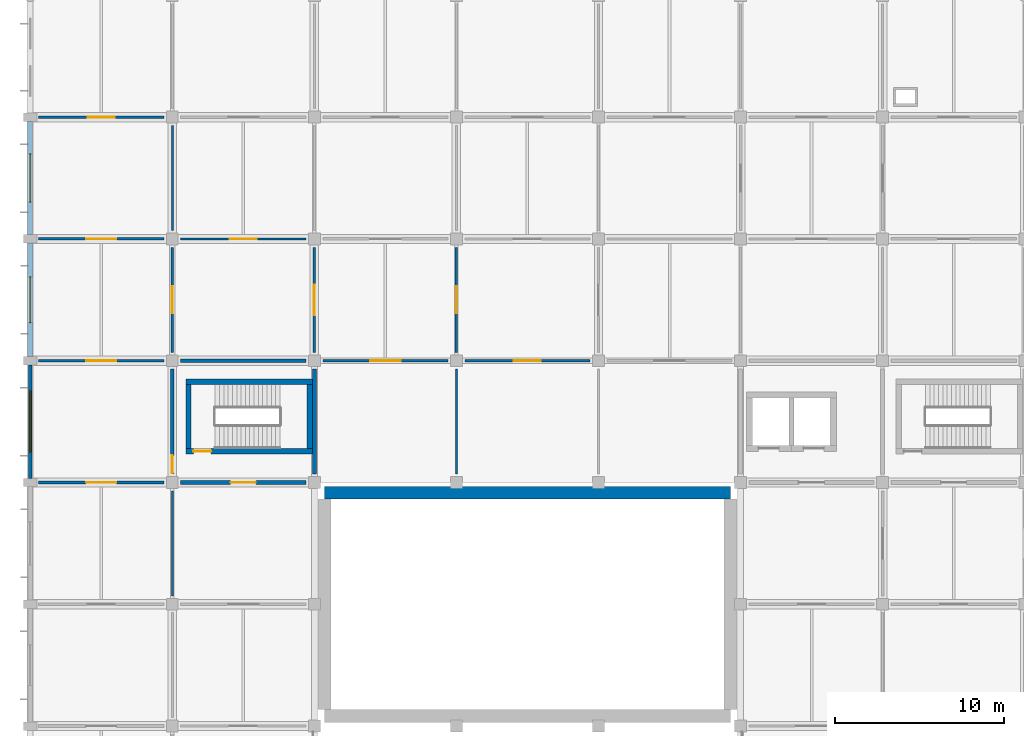
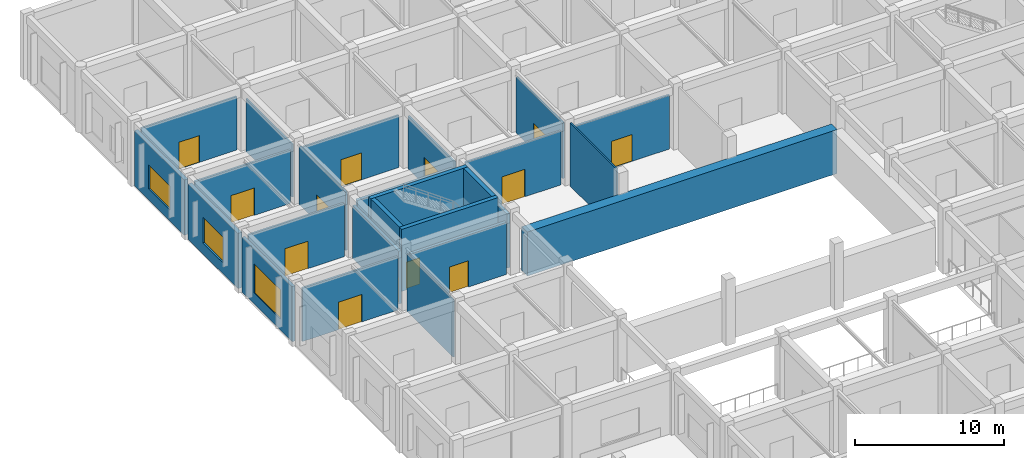
# One storey, part 20 of 41: 25 walls, 13 doors, 3 windows, 16 openings.
"""IFC4 building model written with IfcOpenShell, lengths in metres."""

from ifc_helpers import new_model, si_unit, derived_unit, direction, frame, frame_2d, origin, place, context, subcontext, project, spatial, rectangle, extrude, material, layer, layer_set, type_object, element, fill, save


model = new_model("IFC4")

# Units and contexts
model_context = context("Model", 3, precision=1e-05, world=origin(), true_north=direction((0.0, 1.0)))
body_context = subcontext(model_context, "Body", "Model", "MODEL_VIEW")
ifc_project = project(units=[si_unit("LENGTHUNIT", "METRE"), si_unit("AREAUNIT", "SQUARE_METRE"), si_unit("VOLUMEUNIT", "CUBIC_METRE"), si_unit("PLANEANGLEUNIT", "RADIAN"), si_unit("MASSUNIT", "GRAM", prefix="KILO"), derived_unit("THERMALTRANSMITTANCEUNIT", [(si_unit("MASSUNIT", "GRAM", prefix="KILO"), 1), (si_unit("TIMEUNIT", "SECOND"), -3), (si_unit("THERMODYNAMICTEMPERATUREUNIT", "KELVIN"), -1)])], contexts=[model_context])

# Site, building, storey
site_placement = place(None, origin())
site = spatial("IfcSite", under=ifc_project, at=site_placement, CompositionType="ELEMENT")
building_placement = place(site_placement, origin())
building = spatial("IfcBuilding", under=site, at=building_placement, Name="Veldstrom Oceanarium and Marine Research Institute", CompositionType="ELEMENT")
storey_placement = place(building_placement, frame((0.0, 0.0, 6.0)))
storey = spatial("IfcBuildingStorey", under=building, at=storey_placement, Name="L01", CompositionType="ELEMENT", Elevation=6.0)

# Wall, opening, window
ifc_material_1 = material(Name="Masonry Cavity Wall", Category="masonry")
ifc_layer_1 = layer(ifc_material_1, 0.31005859375)
ifc_layer_set_1 = layer_set([ifc_layer_1], Name="ARC-WAL-EW1")
wall_type_1 = type_object("IfcWallType", Name="ARC-WAL-EW1", PredefinedType="SOLIDWALL", material=ifc_layer_set_1)
wall_1_placement = place(storey_placement, frame((0.0, 43.449951171875, 0.0), z_axis=(0.0, 0.0, 1.0), x_axis=(0.0, 1.0, 0.0)))
wall_1 = element("IfcWall", 1, at=wall_1_placement, inside=storey, type_object=wall_type_1, Name="Exterior Facade Wall EW1 L01-067", PredefinedType="SOLIDWALL", context=body_context, shape_type="SweptSolid", body=[
    extrude(rectangle(XDim=6.699951171875, YDim=0.31005859375, at=frame_2d((3.35009765625, 0.0))), origin(), (0.0, 0.0, 1.0), 4.52001953125),
])
opening_1_placement = place(wall_1_placement, frame((2.0, 0.0, 0.89990234375)))
opening_1 = element("IfcOpeningElement", 2, at=opening_1_placement, cuts=wall_1, Name="Opening W08", PredefinedType="OPENING", context=body_context, shape_type="SweptSolid", body=[
    extrude(rectangle(XDim=2.699951171875, YDim=2.10009765625, at=frame_2d((1.35009765625, 1.050048828125))), frame((0.0, 0.1650390625, 0.0), z_axis=(0.0, -1.0, 0.0), x_axis=(1.0, 0.0, 0.0)), (0.0, 0.0, 1.0), 0.330078125),
])
ifc_material_2 = material(Name="Double Glazed Low-E IGU", Category="glass")
window_type_1 = type_object("IfcWindowType", Name="ARC-WIN-W08", PartitioningType="SINGLE_PANEL", PredefinedType="WINDOW", material=ifc_material_2)
window_1_placement = place(opening_1_placement, origin())
window_1 = element("IfcWindow", 3, at=window_1_placement, inside=storey, type_object=window_type_1, Name="Facade Window W08 L01-0039", OverallHeight=2.10009765625, OverallWidth=2.699951171875, PartitioningType="SINGLE_PANEL", PredefinedType="WINDOW", context=body_context, shape_type="SweptSolid", body=[
    extrude(rectangle(XDim=2.699951171875, YDim=2.10009765625, at=frame_2d((1.35009765625, 1.050048828125))), frame((0.0, 0.030029296875, 0.0), z_axis=(0.0, -1.0, 0.0), x_axis=(1.0, 0.0, 0.0)), (0.0, 0.0, 1.0), 0.06005859375),
])
fill(opening_1, window_1)

ifc_material_3 = material(Name="Masonry Cavity Wall", Category="masonry")
ifc_layer_2 = layer(ifc_material_3, 0.2900390625)
ifc_layer_set_2 = layer_set([ifc_layer_2], Name="ARC-WAL-EW2")
wall_type_2 = type_object("IfcWallType", Name="ARC-WAL-EW2", PredefinedType="SOLIDWALL", material=ifc_layer_set_2)
wall_2_placement = place(storey_placement, frame((0.0, 50.64990234375, 0.0), z_axis=(0.0, 0.0, 1.0), x_axis=(0.0, 1.0, 0.0)))
wall_2 = element("IfcWall", 4, at=wall_2_placement, inside=storey, type_object=wall_type_2, Name="Exterior Facade Wall EW2 L01-068", PredefinedType="SOLIDWALL", context=body_context, shape_type="SweptSolid", body=[
    extrude(rectangle(XDim=6.7001953125, YDim=0.2900390625, at=frame_2d((3.35009765625, 0.0))), origin(), (0.0, 0.0, 1.0), 4.52001953125),
])
opening_2_placement = place(wall_2_placement, frame((1.925048828125, 0.0, 0.89990234375)))
opening_2 = element("IfcOpeningElement", 5, at=opening_2_placement, cuts=wall_2, Name="Opening W19", PredefinedType="OPENING", context=body_context, shape_type="SweptSolid", body=[
    extrude(rectangle(XDim=2.85009765625, YDim=1.949951171875, at=frame_2d((1.425048828125, 0.97509765625))), frame((0.0, 0.155029296875, 0.0), z_axis=(0.0, -1.0, 0.0), x_axis=(1.0, 0.0, 0.0)), (0.0, 0.0, 1.0), 0.31005859375),
])
ifc_material_4 = material(Name="Double Glazed Low-E IGU", Category="glass")
window_type_2 = type_object("IfcWindowType", Name="ARC-WIN-W19", PartitioningType="SINGLE_PANEL", PredefinedType="WINDOW", material=ifc_material_4)
window_2_placement = place(opening_2_placement, origin())
window_2 = element("IfcWindow", 6, at=window_2_placement, inside=storey, type_object=window_type_2, Name="Facade Window W19 L01-0040", OverallHeight=1.949951171875, OverallWidth=2.85009765625, PartitioningType="SINGLE_PANEL", PredefinedType="WINDOW", context=body_context, shape_type="SweptSolid", body=[
    extrude(rectangle(XDim=2.85009765625, YDim=1.949951171875, at=frame_2d((1.425048828125, 0.97509765625))), frame((0.0, 0.030029296875, 0.0), z_axis=(0.0, -1.0, 0.0), x_axis=(1.0, 0.0, 0.0)), (0.0, 0.0, 1.0), 0.06005859375),
])
fill(opening_2, window_2)

ifc_material_5 = material(Name="Masonry Cavity Wall", Category="masonry")
ifc_layer_3 = layer(ifc_material_5, 0.215087890625)
ifc_layer_set_3 = layer_set([ifc_layer_3], Name="ARC-WAL-EW6")
wall_type_3 = type_object("IfcWallType", Name="ARC-WAL-EW6", PredefinedType="SOLIDWALL", material=ifc_layer_set_3)
wall_3_placement = place(storey_placement, frame((0.0, 36.25, 0.0), z_axis=(0.0, 0.0, 1.0), x_axis=(0.0, 1.0, 0.0)))
wall_3 = element("IfcWall", 7, at=wall_3_placement, inside=storey, type_object=wall_type_3, Name="Exterior Facade Wall EW6 L01-066", PredefinedType="SOLIDWALL", context=body_context, shape_type="SweptSolid", body=[
    extrude(rectangle(XDim=6.699951171875, YDim=0.215087890625, at=frame_2d((3.35009765625, 0.0))), origin(), (0.0, 0.0, 1.0), 4.52001953125),
])
opening_3_placement = place(wall_3_placement, frame((1.550048828125, 0.0, 0.89990234375)))
opening_3 = element("IfcOpeningElement", 8, at=opening_3_placement, cuts=wall_3, Name="Opening W11", PredefinedType="OPENING", context=body_context, shape_type="SweptSolid", body=[
    extrude(rectangle(XDim=3.60009765625, YDim=2.39990234375, at=frame_2d((1.800048828125, 1.199951171875))), frame((0.0, 0.117431640625, 0.0), z_axis=(0.0, -1.0, 0.0), x_axis=(1.0, 0.0, 0.0)), (0.0, 0.0, 1.0), 0.235107421875),
])
ifc_material_6 = material(Name="Double Glazed Low-E IGU", Category="glass")
window_type_3 = type_object("IfcWindowType", Name="ARC-WIN-W11", PartitioningType="SINGLE_PANEL", PredefinedType="WINDOW", material=ifc_material_6)
window_3_placement = place(opening_3_placement, origin())
window_3 = element("IfcWindow", 9, at=window_3_placement, inside=storey, type_object=window_type_3, Name="Facade Window W11 L01-0038", OverallHeight=2.39990234375, OverallWidth=3.60009765625, PartitioningType="SINGLE_PANEL", PredefinedType="WINDOW", context=body_context, shape_type="SweptSolid", body=[
    extrude(rectangle(XDim=3.60009765625, YDim=2.39990234375, at=frame_2d((1.800048828125, 1.199951171875))), frame((0.0, 0.030029296875, 0.0), z_axis=(0.0, -1.0, 0.0), x_axis=(1.0, 0.0, 0.0)), (0.0, 0.0, 1.0), 0.06005859375),
])
fill(opening_3, window_3)

# Wall, opening, door
ifc_material_7 = material(Name="Masonry Fire Compartment Wall", Category="masonry")
ifc_layer_4 = layer(ifc_material_7, 0.22998046875)
ifc_layer_set_4 = layer_set([ifc_layer_4], Name="ARC-WAL-PT1")
wall_type_4 = type_object("IfcWallType", Name="ARC-WAL-PT1", PredefinedType="PARTITIONING", material=ifc_layer_set_4)
wall_4_placement = place(storey_placement, frame((8.39990234375, 36.5, 0.0), z_axis=(0.0, 0.0, 1.0), x_axis=(0.0, 1.0, 0.0)))
wall_4 = element("IfcWall", 10, at=wall_4_placement, inside=storey, type_object=wall_type_4, Name="Interior Partition PT1 L01-0835", PredefinedType="PARTITIONING", context=body_context, shape_type="SweptSolid", body=[
    extrude(rectangle(XDim=6.199951171875, YDim=0.22998046875, at=frame_2d((3.10009765625, 0.0))), origin(), (0.0, 0.0, 1.0), 4.320068359375),
])
opening_4_placement = place(wall_4_placement, frame((0.050048828125, 0.0, 0.0)))
opening_4 = element("IfcOpeningElement", 11, at=opening_4_placement, cuts=wall_4, Name="Opening D-L01-483", PredefinedType="OPENING", context=body_context, shape_type="SweptSolid", body=[
    extrude(rectangle(XDim=1.050048828125, YDim=2.14990234375, at=frame_2d((0.52490234375, 1.074951171875))), frame((0.0, 0.125, 0.0), z_axis=(0.0, -1.0, 0.0), x_axis=(1.0, 0.0, 0.0)), (0.0, 0.0, 1.0), 0.25),
])
ifc_material_8 = material(Name="Painted Steel Fire Door", Category="steel")
door_type_1 = type_object("IfcDoorType", Name="ARC-DOR-SD1", OperationType="SINGLE_SWING_LEFT", PredefinedType="DOOR", material=ifc_material_8)
door_1_placement = place(opening_4_placement, origin())
door_1 = element("IfcDoor", 12, at=door_1_placement, inside=storey, type_object=door_type_1, Name="Interior Door D-L01-483", OperationType="SINGLE_SWING_LEFT", OverallHeight=2.14990234375, OverallWidth=1.050048828125, PredefinedType="DOOR", context=body_context, shape_type="SweptSolid", body=[
    extrude(rectangle(XDim=1.050048828125, YDim=2.14990234375, at=frame_2d((0.52490234375, 1.074951171875))), frame((0.0, 0.02490234375, 0.0), z_axis=(0.0, -1.0, 0.0), x_axis=(1.0, 0.0, 0.0)), (0.0, 0.0, 1.0), 0.050048828125),
])
fill(opening_4, door_1)

wall_5_placement = place(storey_placement, frame((8.89990234375, 36.0, 0.0), z_axis=(0.0, 0.0, 1.0), x_axis=(1.0, 0.0, 0.0)))
wall_5 = element("IfcWall", 13, at=wall_5_placement, inside=storey, type_object=wall_type_4, Name="Interior Partition PT1 L01-0846", PredefinedType="PARTITIONING", context=body_context, shape_type="SweptSolid", body=[
    extrude(rectangle(XDim=7.400146484375, YDim=0.22998046875, at=frame_2d((3.7001953125, 0.0))), origin(), (0.0, 0.0, 1.0), 4.27001953125),
])
opening_5_placement = place(wall_5_placement, frame((2.949951171875, 0.0, 0.0)))
opening_5 = element("IfcOpeningElement", 14, at=opening_5_placement, cuts=wall_5, Name="Opening D-L01-491", PredefinedType="OPENING", context=body_context, shape_type="SweptSolid", body=[
    extrude(rectangle(XDim=1.5, YDim=2.14990234375, at=frame_2d((0.75, 1.074951171875))), frame((0.0, 0.125, 0.0), z_axis=(0.0, -1.0, 0.0), x_axis=(1.0, 0.0, 0.0)), (0.0, 0.0, 1.0), 0.25),
])
ifc_material_9 = material(Name="Painted Steel Lobby Fire Door", Category="steel")
door_type_2 = type_object("IfcDoorType", Name="ARC-DOR-SD2", OperationType="DOUBLE_DOOR_SINGLE_SWING", PredefinedType="DOOR", material=ifc_material_9)
door_2_placement = place(opening_5_placement, frame((1.5, 0.0, 0.0), z_axis=(0.0, 0.0, 1.0), x_axis=(-1.0, 0.0, 0.0)))
door_2 = element("IfcDoor", 15, at=door_2_placement, inside=storey, type_object=door_type_2, Name="Interior Door D-L01-491", OperationType="DOUBLE_DOOR_SINGLE_SWING", OverallHeight=2.14990234375, OverallWidth=1.5, PredefinedType="DOOR", context=body_context, shape_type="SweptSolid", body=[
    extrude(rectangle(XDim=1.5, YDim=2.14990234375, at=frame_2d((0.75, 1.074951171875))), frame((0.0, 0.02490234375, 0.0), z_axis=(0.0, -1.0, 0.0), x_axis=(1.0, 0.0, 0.0)), (0.0, 0.0, 1.0), 0.050048828125),
])
fill(opening_5, door_2)

# Walls
wall_6_placement = place(storey_placement, frame((16.800048828125, 36.5, 0.0), z_axis=(0.0, 0.0, 1.0), x_axis=(0.0, 1.0, 0.0)))
element("IfcWall", 16, at=wall_6_placement, inside=storey, type_object=wall_type_4, Name="Interior Partition PT1 L01-0847", PredefinedType="PARTITIONING", context=body_context, shape_type="SweptSolid", body=[
    extrude(rectangle(XDim=6.199951171875, YDim=0.22998046875, at=frame_2d((3.10009765625, 0.0))), origin(), (0.0, 0.0, 1.0), 4.419921875),
])
wall_7_placement = place(storey_placement, frame((8.89990234375, 43.199951171875, 0.0), z_axis=(0.0, 0.0, 1.0), x_axis=(1.0, 0.0, 0.0)))
element("IfcWall", 17, at=wall_7_placement, inside=storey, type_object=wall_type_4, Name="Interior Partition PT1 L01-0848", PredefinedType="PARTITIONING", context=body_context, shape_type="SweptSolid", body=[
    extrude(rectangle(XDim=7.400146484375, YDim=0.22998046875, at=frame_2d((3.7001953125, 0.0))), origin(), (0.0, 0.0, 1.0), 4.27001953125),
])

# Wall, opening, door
ifc_material_10 = material(Name="Drywall Corridor Partition", Category="gypsum")
ifc_layer_5 = layer(ifc_material_10, 0.155029296875)
ifc_layer_set_5 = layer_set([ifc_layer_5], Name="ARC-WAL-PT4")
wall_type_5 = type_object("IfcWallType", Name="ARC-WAL-PT4", PredefinedType="PARTITIONING", material=ifc_layer_set_5)
wall_8_placement = place(storey_placement, frame((0.5, 36.0, 0.0), z_axis=(0.0, 0.0, 1.0), x_axis=(1.0, 0.0, 0.0)))
wall_8 = element("IfcWall", 18, at=wall_8_placement, inside=storey, type_object=wall_type_5, Name="Interior Partition PT4 L01-0834", PredefinedType="PARTITIONING", context=body_context, shape_type="SweptSolid", body=[
    extrude(rectangle(XDim=7.39990234375, YDim=0.155029296875, at=frame_2d((3.699951171875, 0.0))), origin(), (0.0, 0.0, 1.0), 4.3701171875),
])
opening_6_placement = place(wall_8_placement, frame((2.800048828125, 0.0, 0.0)))
opening_6 = element("IfcOpeningElement", 19, at=opening_6_placement, cuts=wall_8, Name="Opening D-L01-482", PredefinedType="OPENING", context=body_context, shape_type="SweptSolid", body=[
    extrude(rectangle(XDim=1.800048828125, YDim=2.25, at=frame_2d((0.89990234375, 1.125))), frame((0.0, 0.08740234375, 0.0), z_axis=(0.0, -1.0, 0.0), x_axis=(1.0, 0.0, 0.0)), (0.0, 0.0, 1.0), 0.175048828125),
])
ifc_material_11 = material(Name="Acoustic Timber Gallery Door", Category="wood")
door_type_3 = type_object("IfcDoorType", Name="ARC-DOR-ID01", OperationType="DOUBLE_DOOR_SINGLE_SWING", PredefinedType="DOOR", material=ifc_material_11)
door_3_placement = place(opening_6_placement, frame((1.800048828125, 0.0, 0.0), z_axis=(0.0, 0.0, 1.0), x_axis=(-1.0, 0.0, 0.0)))
door_3 = element("IfcDoor", 20, at=door_3_placement, inside=storey, type_object=door_type_3, Name="Interior Door D-L01-482", OperationType="DOUBLE_DOOR_SINGLE_SWING", OverallHeight=2.25, OverallWidth=1.800048828125, PredefinedType="DOOR", context=body_context, shape_type="SweptSolid", body=[
    extrude(rectangle(XDim=1.800048828125, YDim=2.25, at=frame_2d((0.89990234375, 1.125))), frame((0.0, 0.02490234375, 0.0), z_axis=(0.0, -1.0, 0.0), x_axis=(1.0, 0.0, 0.0)), (0.0, 0.0, 1.0), 0.050048828125),
])
fill(opening_6, door_3)

wall_9_placement = place(storey_placement, frame((8.39990234375, 43.699951171875, 0.0), z_axis=(0.0, 0.0, 1.0), x_axis=(0.0, 1.0, 0.0)))
wall_9 = element("IfcWall", 21, at=wall_9_placement, inside=storey, type_object=wall_type_5, Name="Interior Partition PT4 L01-0837", PredefinedType="PARTITIONING", context=body_context, shape_type="SweptSolid", body=[
    extrude(rectangle(XDim=6.199951171875, YDim=0.155029296875, at=frame_2d((3.10009765625, 0.0))), origin(), (0.0, 0.0, 1.0), 4.780029296875),
])
opening_7_placement = place(wall_9_placement, frame((2.300048828125, 0.0, 0.0)))
opening_7 = element("IfcOpeningElement", 22, at=opening_7_placement, cuts=wall_9, Name="Opening D-L01-485", PredefinedType="OPENING", context=body_context, shape_type="SweptSolid", body=[
    extrude(rectangle(XDim=1.60009765625, YDim=2.199951171875, at=frame_2d((0.800048828125, 1.10009765625))), frame((0.0, 0.08740234375, 0.0), z_axis=(0.0, -1.0, 0.0), x_axis=(1.0, 0.0, 0.0)), (0.0, 0.0, 1.0), 0.175048828125),
])
ifc_material_12 = material(Name="Acoustic Timber Corridor Door", Category="wood")
door_type_4 = type_object("IfcDoorType", Name="ARC-DOR-ID02", OperationType="DOUBLE_DOOR_SINGLE_SWING", PredefinedType="DOOR", material=ifc_material_12)
door_4_placement = place(opening_7_placement, origin())
door_4 = element("IfcDoor", 23, at=door_4_placement, inside=storey, type_object=door_type_4, Name="Interior Door D-L01-485", OperationType="DOUBLE_DOOR_SINGLE_SWING", OverallHeight=2.199951171875, OverallWidth=1.60009765625, PredefinedType="DOOR", context=body_context, shape_type="SweptSolid", body=[
    extrude(rectangle(XDim=1.60009765625, YDim=2.199951171875, at=frame_2d((0.800048828125, 1.10009765625))), frame((0.0, 0.02490234375, 0.0), z_axis=(0.0, -1.0, 0.0), x_axis=(1.0, 0.0, 0.0)), (0.0, 0.0, 1.0), 0.050048828125),
])
fill(opening_7, door_4)

wall_10_placement = place(storey_placement, frame((0.5, 50.39990234375, 0.0), z_axis=(0.0, 0.0, 1.0), x_axis=(1.0, 0.0, 0.0)))
wall_10 = element("IfcWall", 24, at=wall_10_placement, inside=storey, type_object=wall_type_5, Name="Interior Partition PT4 L01-0838", PredefinedType="PARTITIONING", context=body_context, shape_type="SweptSolid", body=[
    extrude(rectangle(XDim=7.39990234375, YDim=0.155029296875, at=frame_2d((3.699951171875, 0.0))), origin(), (0.0, 0.0, 1.0), 4.3701171875),
])
opening_8_placement = place(wall_10_placement, frame((2.800048828125, 0.0, 0.0)))
opening_8 = element("IfcOpeningElement", 25, at=opening_8_placement, cuts=wall_10, Name="Opening D-L01-486", PredefinedType="OPENING", context=body_context, shape_type="SweptSolid", body=[
    extrude(rectangle(XDim=1.800048828125, YDim=2.25, at=frame_2d((0.89990234375, 1.125))), frame((0.0, 0.08740234375, 0.0), z_axis=(0.0, -1.0, 0.0), x_axis=(1.0, 0.0, 0.0)), (0.0, 0.0, 1.0), 0.175048828125),
])
door_5_placement = place(opening_8_placement, frame((1.800048828125, 0.0, 0.0), z_axis=(0.0, 0.0, 1.0), x_axis=(-1.0, 0.0, 0.0)))
door_5 = element("IfcDoor", 26, at=door_5_placement, inside=storey, type_object=door_type_3, Name="Interior Door D-L01-486", OperationType="DOUBLE_DOOR_SINGLE_SWING", OverallHeight=2.25, OverallWidth=1.800048828125, PredefinedType="DOOR", context=body_context, shape_type="SweptSolid", body=[
    extrude(rectangle(XDim=1.800048828125, YDim=2.25, at=frame_2d((0.89990234375, 1.125))), frame((0.0, 0.02490234375, 0.0), z_axis=(0.0, -1.0, 0.0), x_axis=(1.0, 0.0, 0.0)), (0.0, 0.0, 1.0), 0.050048828125),
])
fill(opening_8, door_5)

wall_11_placement = place(storey_placement, frame((25.199951171875, 43.699951171875, 0.0), z_axis=(0.0, 0.0, 1.0), x_axis=(0.0, 1.0, 0.0)))
wall_11 = element("IfcWall", 27, at=wall_11_placement, inside=storey, type_object=wall_type_5, Name="Interior Partition PT4 L01-0861", PredefinedType="PARTITIONING", context=body_context, shape_type="SweptSolid", body=[
    extrude(rectangle(XDim=6.199951171875, YDim=0.155029296875, at=frame_2d((3.10009765625, 0.0))), origin(), (0.0, 0.0, 1.0), 4.570068359375),
])
opening_9_placement = place(wall_11_placement, frame((2.300048828125, 0.0, 0.0)))
opening_9 = element("IfcOpeningElement", 28, at=opening_9_placement, cuts=wall_11, Name="Opening D-L01-499", PredefinedType="OPENING", context=body_context, shape_type="SweptSolid", body=[
    extrude(rectangle(XDim=1.60009765625, YDim=2.199951171875, at=frame_2d((0.800048828125, 1.10009765625))), frame((0.0, 0.08740234375, 0.0), z_axis=(0.0, -1.0, 0.0), x_axis=(1.0, 0.0, 0.0)), (0.0, 0.0, 1.0), 0.175048828125),
])
door_6_placement = place(opening_9_placement, origin())
door_6 = element("IfcDoor", 29, at=door_6_placement, inside=storey, type_object=door_type_4, Name="Interior Door D-L01-499", OperationType="DOUBLE_DOOR_SINGLE_SWING", OverallHeight=2.199951171875, OverallWidth=1.60009765625, PredefinedType="DOOR", context=body_context, shape_type="SweptSolid", body=[
    extrude(rectangle(XDim=1.60009765625, YDim=2.199951171875, at=frame_2d((0.800048828125, 1.10009765625))), frame((0.0, 0.02490234375, 0.0), z_axis=(0.0, -1.0, 0.0), x_axis=(1.0, 0.0, 0.0)), (0.0, 0.0, 1.0), 0.050048828125),
])
fill(opening_9, door_6)

wall_12_placement = place(storey_placement, frame((25.699951171875, 43.199951171875, 0.0), z_axis=(0.0, 0.0, 1.0), x_axis=(1.0, 0.0, 0.0)))
wall_12 = element("IfcWall", 30, at=wall_12_placement, inside=storey, type_object=wall_type_5, Name="Interior Partition PT4 L01-0872", PredefinedType="PARTITIONING", context=body_context, shape_type="SweptSolid", body=[
    extrude(rectangle(XDim=7.400146484375, YDim=0.155029296875, at=frame_2d((3.7001953125, 0.0))), origin(), (0.0, 0.0, 1.0), 4.419921875),
])
opening_10_placement = place(wall_12_placement, frame((2.89990234375, 0.0, 0.0)))
opening_10 = element("IfcOpeningElement", 31, at=opening_10_placement, cuts=wall_12, Name="Opening D-L01-505", PredefinedType="OPENING", context=body_context, shape_type="SweptSolid", body=[
    extrude(rectangle(XDim=1.60009765625, YDim=2.199951171875, at=frame_2d((0.800048828125, 1.10009765625))), frame((0.0, 0.08740234375, 0.0), z_axis=(0.0, -1.0, 0.0), x_axis=(1.0, 0.0, 0.0)), (0.0, 0.0, 1.0), 0.175048828125),
])
door_7_placement = place(opening_10_placement, frame((1.60009765625, 0.0, 0.0), z_axis=(0.0, 0.0, 1.0), x_axis=(-1.0, 0.0, 0.0)))
door_7 = element("IfcDoor", 32, at=door_7_placement, inside=storey, type_object=door_type_4, Name="Interior Door D-L01-505", OperationType="DOUBLE_DOOR_SINGLE_SWING", OverallHeight=2.199951171875, OverallWidth=1.60009765625, PredefinedType="DOOR", context=body_context, shape_type="SweptSolid", body=[
    extrude(rectangle(XDim=1.60009765625, YDim=2.199951171875, at=frame_2d((0.800048828125, 1.10009765625))), frame((0.0, 0.02490234375, 0.0), z_axis=(0.0, -1.0, 0.0), x_axis=(1.0, 0.0, 0.0)), (0.0, 0.0, 1.0), 0.050048828125),
])
fill(opening_10, door_7)

ifc_material_13 = material(Name="Moisture-Resistant Wet-Area Partition", Category="masonry")
ifc_layer_6 = layer(ifc_material_13, 0.139892578125)
ifc_layer_set_6 = layer_set([ifc_layer_6], Name="ARC-WAL-PT5")
wall_type_6 = type_object("IfcWallType", Name="ARC-WAL-PT5", PredefinedType="PARTITIONING", material=ifc_layer_set_6)
wall_13_placement = place(storey_placement, frame((0.5, 43.199951171875, 0.0), z_axis=(0.0, 0.0, 1.0), x_axis=(1.0, 0.0, 0.0)))
wall_13 = element("IfcWall", 33, at=wall_13_placement, inside=storey, type_object=wall_type_6, Name="Interior Partition PT5 L01-0836", PredefinedType="PARTITIONING", context=body_context, shape_type="SweptSolid", body=[
    extrude(rectangle(XDim=7.39990234375, YDim=0.139892578125, at=frame_2d((3.699951171875, 0.0))), origin(), (0.0, 0.0, 1.0), 4.3701171875),
])
opening_11_placement = place(wall_13_placement, frame((2.800048828125, 0.0, 0.0)))
opening_11 = element("IfcOpeningElement", 34, at=opening_11_placement, cuts=wall_13, Name="Opening D-L01-484", PredefinedType="OPENING", context=body_context, shape_type="SweptSolid", body=[
    extrude(rectangle(XDim=1.800048828125, YDim=2.25, at=frame_2d((0.89990234375, 1.125))), frame((0.0, 0.079833984375, 0.0), z_axis=(0.0, -1.0, 0.0), x_axis=(1.0, 0.0, 0.0)), (0.0, 0.0, 1.0), 0.159912109375),
])
door_8_placement = place(opening_11_placement, origin())
door_8 = element("IfcDoor", 35, at=door_8_placement, inside=storey, type_object=door_type_3, Name="Interior Door D-L01-484", OperationType="DOUBLE_DOOR_SINGLE_SWING", OverallHeight=2.25, OverallWidth=1.800048828125, PredefinedType="DOOR", context=body_context, shape_type="SweptSolid", body=[
    extrude(rectangle(XDim=1.800048828125, YDim=2.25, at=frame_2d((0.89990234375, 1.125))), frame((0.0, 0.02490234375, 0.0), z_axis=(0.0, -1.0, 0.0), x_axis=(1.0, 0.0, 0.0)), (0.0, 0.0, 1.0), 0.050048828125),
])
fill(opening_11, door_8)

wall_14_placement = place(storey_placement, frame((0.5, 57.60009765625, 0.0), z_axis=(0.0, 0.0, 1.0), x_axis=(1.0, 0.0, 0.0)))
wall_14 = element("IfcWall", 36, at=wall_14_placement, inside=storey, type_object=wall_type_6, Name="Interior Partition PT5 L01-0840", PredefinedType="PARTITIONING", context=body_context, shape_type="SweptSolid", body=[
    extrude(rectangle(XDim=7.39990234375, YDim=0.139892578125, at=frame_2d((3.699951171875, 0.0))), origin(), (0.0, 0.0, 1.0), 4.3701171875),
])
opening_12_placement = place(wall_14_placement, frame((2.89990234375, 0.0, 0.0)))
opening_12 = element("IfcOpeningElement", 37, at=opening_12_placement, cuts=wall_14, Name="Opening D-L01-487", PredefinedType="OPENING", context=body_context, shape_type="SweptSolid", body=[
    extrude(rectangle(XDim=1.60009765625, YDim=2.199951171875, at=frame_2d((0.800048828125, 1.10009765625))), frame((0.0, 0.079833984375, 0.0), z_axis=(0.0, -1.0, 0.0), x_axis=(1.0, 0.0, 0.0)), (0.0, 0.0, 1.0), 0.159912109375),
])
door_9_placement = place(opening_12_placement, origin())
door_9 = element("IfcDoor", 38, at=door_9_placement, inside=storey, type_object=door_type_4, Name="Interior Door D-L01-487", OperationType="DOUBLE_DOOR_SINGLE_SWING", OverallHeight=2.199951171875, OverallWidth=1.60009765625, PredefinedType="DOOR", context=body_context, shape_type="SweptSolid", body=[
    extrude(rectangle(XDim=1.60009765625, YDim=2.199951171875, at=frame_2d((0.800048828125, 1.10009765625))), frame((0.0, 0.02490234375, 0.0), z_axis=(0.0, -1.0, 0.0), x_axis=(1.0, 0.0, 0.0)), (0.0, 0.0, 1.0), 0.050048828125),
])
fill(opening_12, door_9)

wall_15_placement = place(storey_placement, frame((16.800048828125, 43.699951171875, 0.0), z_axis=(0.0, 0.0, 1.0), x_axis=(0.0, 1.0, 0.0)))
wall_15 = element("IfcWall", 39, at=wall_15_placement, inside=storey, type_object=wall_type_6, Name="Interior Partition PT5 L01-0849", PredefinedType="PARTITIONING", context=body_context, shape_type="SweptSolid", body=[
    extrude(rectangle(XDim=6.199951171875, YDim=0.139892578125, at=frame_2d((3.10009765625, 0.0))), origin(), (0.0, 0.0, 1.0), 4.320068359375),
])
opening_13_placement = place(wall_15_placement, frame((2.199951171875, 0.0, 0.0)))
opening_13 = element("IfcOpeningElement", 40, at=opening_13_placement, cuts=wall_15, Name="Opening D-L01-492", PredefinedType="OPENING", context=body_context, shape_type="SweptSolid", body=[
    extrude(rectangle(XDim=1.800048828125, YDim=2.25, at=frame_2d((0.89990234375, 1.125))), frame((0.0, 0.079833984375, 0.0), z_axis=(0.0, -1.0, 0.0), x_axis=(1.0, 0.0, 0.0)), (0.0, 0.0, 1.0), 0.159912109375),
])
door_10_placement = place(opening_13_placement, frame((1.800048828125, 0.0, 0.0), z_axis=(0.0, 0.0, 1.0), x_axis=(-1.0, 0.0, 0.0)))
door_10 = element("IfcDoor", 41, at=door_10_placement, inside=storey, type_object=door_type_3, Name="Interior Door D-L01-492", OperationType="DOUBLE_DOOR_SINGLE_SWING", OverallHeight=2.25, OverallWidth=1.800048828125, PredefinedType="DOOR", context=body_context, shape_type="SweptSolid", body=[
    extrude(rectangle(XDim=1.800048828125, YDim=2.25, at=frame_2d((0.89990234375, 1.125))), frame((0.0, 0.02490234375, 0.0), z_axis=(0.0, -1.0, 0.0), x_axis=(1.0, 0.0, 0.0)), (0.0, 0.0, 1.0), 0.050048828125),
])
fill(opening_13, door_10)

wall_16_placement = place(storey_placement, frame((8.89990234375, 50.39990234375, 0.0), z_axis=(0.0, 0.0, 1.0), x_axis=(1.0, 0.0, 0.0)))
wall_16 = element("IfcWall", 42, at=wall_16_placement, inside=storey, type_object=wall_type_6, Name="Interior Partition PT5 L01-0850", PredefinedType="PARTITIONING", context=body_context, shape_type="SweptSolid", body=[
    extrude(rectangle(XDim=7.400146484375, YDim=0.139892578125, at=frame_2d((3.7001953125, 0.0))), origin(), (0.0, 0.0, 1.0), 4.27001953125),
])
opening_14_placement = place(wall_16_placement, frame((2.89990234375, 0.0, 0.0)))
opening_14 = element("IfcOpeningElement", 43, at=opening_14_placement, cuts=wall_16, Name="Opening D-L01-493", PredefinedType="OPENING", context=body_context, shape_type="SweptSolid", body=[
    extrude(rectangle(XDim=1.60009765625, YDim=2.199951171875, at=frame_2d((0.800048828125, 1.10009765625))), frame((0.0, 0.079833984375, 0.0), z_axis=(0.0, -1.0, 0.0), x_axis=(1.0, 0.0, 0.0)), (0.0, 0.0, 1.0), 0.159912109375),
])
door_11_placement = place(opening_14_placement, origin())
door_11 = element("IfcDoor", 44, at=door_11_placement, inside=storey, type_object=door_type_4, Name="Interior Door D-L01-493", OperationType="DOUBLE_DOOR_SINGLE_SWING", OverallHeight=2.199951171875, OverallWidth=1.60009765625, PredefinedType="DOOR", context=body_context, shape_type="SweptSolid", body=[
    extrude(rectangle(XDim=1.60009765625, YDim=2.199951171875, at=frame_2d((0.800048828125, 1.10009765625))), frame((0.0, 0.02490234375, 0.0), z_axis=(0.0, -1.0, 0.0), x_axis=(1.0, 0.0, 0.0)), (0.0, 0.0, 1.0), 0.050048828125),
])
fill(opening_14, door_11)

wall_17_placement = place(storey_placement, frame((17.300048828125, 43.199951171875, 0.0), z_axis=(0.0, 0.0, 1.0), x_axis=(1.0, 0.0, 0.0)))
wall_17 = element("IfcWall", 45, at=wall_17_placement, inside=storey, type_object=wall_type_6, Name="Interior Partition PT5 L01-0860", PredefinedType="PARTITIONING", context=body_context, shape_type="SweptSolid", body=[
    extrude(rectangle(XDim=7.39990234375, YDim=0.139892578125, at=frame_2d((3.699951171875, 0.0))), origin(), (0.0, 0.0, 1.0), 4.419921875),
])
opening_15_placement = place(wall_17_placement, frame((2.800048828125, 0.0, 0.0)))
opening_15 = element("IfcOpeningElement", 46, at=opening_15_placement, cuts=wall_17, Name="Opening D-L01-498", PredefinedType="OPENING", context=body_context, shape_type="SweptSolid", body=[
    extrude(rectangle(XDim=1.800048828125, YDim=2.25, at=frame_2d((0.89990234375, 1.125))), frame((0.0, 0.079833984375, 0.0), z_axis=(0.0, -1.0, 0.0), x_axis=(1.0, 0.0, 0.0)), (0.0, 0.0, 1.0), 0.159912109375),
])
door_12_placement = place(opening_15_placement, origin())
door_12 = element("IfcDoor", 47, at=door_12_placement, inside=storey, type_object=door_type_3, Name="Interior Door D-L01-498", OperationType="DOUBLE_DOOR_SINGLE_SWING", OverallHeight=2.25, OverallWidth=1.800048828125, PredefinedType="DOOR", context=body_context, shape_type="SweptSolid", body=[
    extrude(rectangle(XDim=1.800048828125, YDim=2.25, at=frame_2d((0.89990234375, 1.125))), frame((0.0, 0.02490234375, 0.0), z_axis=(0.0, -1.0, 0.0), x_axis=(1.0, 0.0, 0.0)), (0.0, 0.0, 1.0), 0.050048828125),
])
fill(opening_15, door_12)

# Walls
ifc_material_14 = material(Name="Lightweight Studio Partition", Category="gypsum")
ifc_layer_7 = layer(ifc_material_14, 0.1201171875)
ifc_layer_set_7 = layer_set([ifc_layer_7], Name="ARC-WAL-PT6")
wall_type_7 = type_object("IfcWallType", Name="ARC-WAL-PT6", PredefinedType="PARTITIONING", material=ifc_layer_set_7)
wall_18_placement = place(storey_placement, frame((8.39990234375, 29.300048828125, 0.0), z_axis=(0.0, 0.0, 1.0), x_axis=(0.0, 1.0, 0.0)))
element("IfcWall", 48, at=wall_18_placement, inside=storey, type_object=wall_type_7, Name="Interior Partition PT6 L01-0833", PredefinedType="PARTITIONING", context=body_context, shape_type="SweptSolid", body=[
    extrude(rectangle(XDim=6.199951171875, YDim=0.1201171875, at=frame_2d((3.10009765625, 0.0))), origin(), (0.0, 0.0, 1.0), 4.669921875),
])
wall_19_placement = place(storey_placement, frame((8.39990234375, 50.89990234375, 0.0), z_axis=(0.0, 0.0, 1.0), x_axis=(0.0, 1.0, 0.0)))
element("IfcWall", 49, at=wall_19_placement, inside=storey, type_object=wall_type_7, Name="Interior Partition PT6 L01-0839", PredefinedType="PARTITIONING", context=body_context, shape_type="SweptSolid", body=[
    extrude(rectangle(XDim=6.2001953125, YDim=0.1201171875, at=frame_2d((3.10009765625, 0.0))), origin(), (0.0, 0.0, 1.0), 4.320068359375),
])
wall_20_placement = place(storey_placement, frame((25.199951171875, 36.5, 0.0), z_axis=(0.0, 0.0, 1.0), x_axis=(0.0, 1.0, 0.0)))
element("IfcWall", 50, at=wall_20_placement, inside=storey, type_object=wall_type_7, Name="Interior Partition PT6 L01-0859", PredefinedType="PARTITIONING", context=body_context, shape_type="SweptSolid", body=[
    extrude(rectangle(XDim=6.199951171875, YDim=0.1201171875, at=frame_2d((3.10009765625, 0.0))), origin(), (0.0, 0.0, 1.0), 5.175048828125),
])

# Wall, opening, door
ifc_material_15 = material(Name="Concrete C40/50", Category="concrete")
ifc_layer_8 = layer(ifc_material_15, 0.320068359375)
ifc_layer_set_8 = layer_set([ifc_layer_8], Name="STR-WAL-WC3")
wall_type_8 = type_object("IfcWallType", Name="STR-WAL-WC3", PredefinedType="SHEAR", material=ifc_layer_set_8)
wall_21_placement = place(storey_placement, frame((9.199951171875, 37.840087890625, 0.0), z_axis=(0.0, 0.0, 1.0), x_axis=(1.0, 0.0, 0.0)))
wall_21 = element("IfcWall", 51, at=wall_21_placement, inside=storey, type_object=wall_type_8, Name="Stair Core Shear Wall SC3-L01-S", PredefinedType="SHEAR", context=body_context, shape_type="SweptSolid", body=[
    extrude(rectangle(XDim=7.47998046875, YDim=0.320068359375, at=frame_2d((3.739990234375, 0.0))), origin(), (0.0, 0.0, 1.0), 5.074951171875),
])
opening_16_placement = place(wall_21_placement, frame((0.449951171875, 0.0, 0.0)))
opening_16 = element("IfcOpeningElement", 52, at=opening_16_placement, cuts=wall_21, Name="Opening D-ST3-L01", PredefinedType="OPENING", context=body_context, shape_type="SweptSolid", body=[
    extrude(rectangle(XDim=1.050048828125, YDim=2.14990234375, at=frame_2d((0.52490234375, 1.074951171875))), frame((0.0, 0.169921875, 0.0), z_axis=(0.0, -1.0, 0.0), x_axis=(1.0, 0.0, 0.0)), (0.0, 0.0, 1.0), 0.340087890625),
])
door_13_placement = place(opening_16_placement, origin())
door_13 = element("IfcDoor", 53, at=door_13_placement, inside=storey, type_object=door_type_1, Name="Escape Stair Fire Door D-ST3-L01", OperationType="SINGLE_SWING_LEFT", OverallHeight=2.14990234375, OverallWidth=1.050048828125, PredefinedType="DOOR", context=body_context, shape_type="SweptSolid", body=[
    extrude(rectangle(XDim=1.050048828125, YDim=2.14990234375, at=frame_2d((0.52490234375, 1.074951171875))), frame((0.0, 0.02490234375, 0.0), z_axis=(0.0, -1.0, 0.0), x_axis=(1.0, 0.0, 0.0)), (0.0, 0.0, 1.0), 0.050048828125),
])
fill(opening_16, door_13)

# Walls
wall_22_placement = place(storey_placement, frame((9.199951171875, 41.9599609375, 0.0), z_axis=(0.0, 0.0, 1.0), x_axis=(1.0, 0.0, 0.0)))
element("IfcWall", 54, at=wall_22_placement, inside=storey, type_object=wall_type_8, Name="Stair Core Shear Wall SC3-L01-N", PredefinedType="SHEAR", context=body_context, shape_type="SweptSolid", body=[
    extrude(rectangle(XDim=7.47998046875, YDim=0.320068359375, at=frame_2d((3.739990234375, 0.0))), origin(), (0.0, 0.0, 1.0), 5.074951171875),
])
for number, where, z_axis, x_axis, name in (
    (55, (9.360107421875, 38.0, 0.0), (0.0, 0.0, 1.0), (0.0, 1.0, 0.0), "Stair Core Shear Wall SC3-L01-W"),
    (56, (16.52001953125, 38.0, 0.0), (0.0, 0.0, 1.0), (0.0, 1.0, 0.0), "Stair Core Shear Wall SC3-L01-E"),
):
    element("IfcWall", number, at=place(storey_placement, frame(where, z_axis=z_axis, x_axis=x_axis)), inside=storey, type_object=wall_type_8, Name=name, PredefinedType="SHEAR", context=body_context, shape_type="SweptSolid", body=[
        extrude(rectangle(XDim=3.800048828125, YDim=0.320068359375, at=frame_2d((1.89990234375, 0.0))), origin(), (0.0, 0.0, 1.0), 5.074951171875),
    ])
ifc_material_16 = material(Name="Concrete C40/50", Category="concrete")
ifc_layer_9 = layer(ifc_material_16, 0.75)
ifc_layer_set_9 = layer_set([ifc_layer_9], Name="STR-WAL-WT2")
wall_type_9 = type_object("IfcWallType", Name="STR-WAL-WT2", PredefinedType="SOLIDWALL", material=ifc_layer_set_9)
wall_23_placement = place(storey_placement, frame((17.39990234375, 35.39990234375, 0.0), z_axis=(0.0, 0.0, 1.0), x_axis=(1.0, 0.0, 0.0)))
element("IfcWall", 57, at=wall_23_placement, inside=storey, type_object=wall_type_9, Name="Ocean Tank Waterproof RC Wall L01-N", PredefinedType="SOLIDWALL", context=body_context, shape_type="SweptSolid", body=[
    extrude(rectangle(XDim=24.0, YDim=0.75, at=frame_2d((12.0, 0.0))), origin(), (0.0, 0.0, 1.0), 3.60009765625),
])

save(model, "model.ifc")
